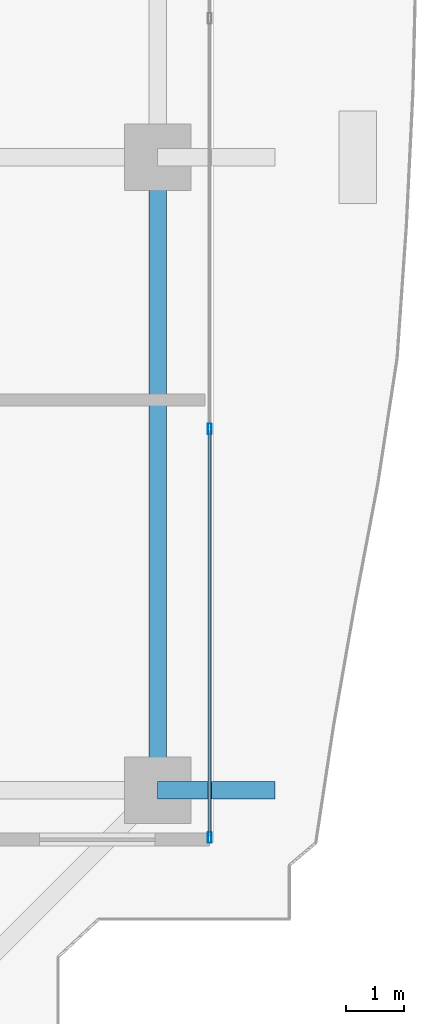
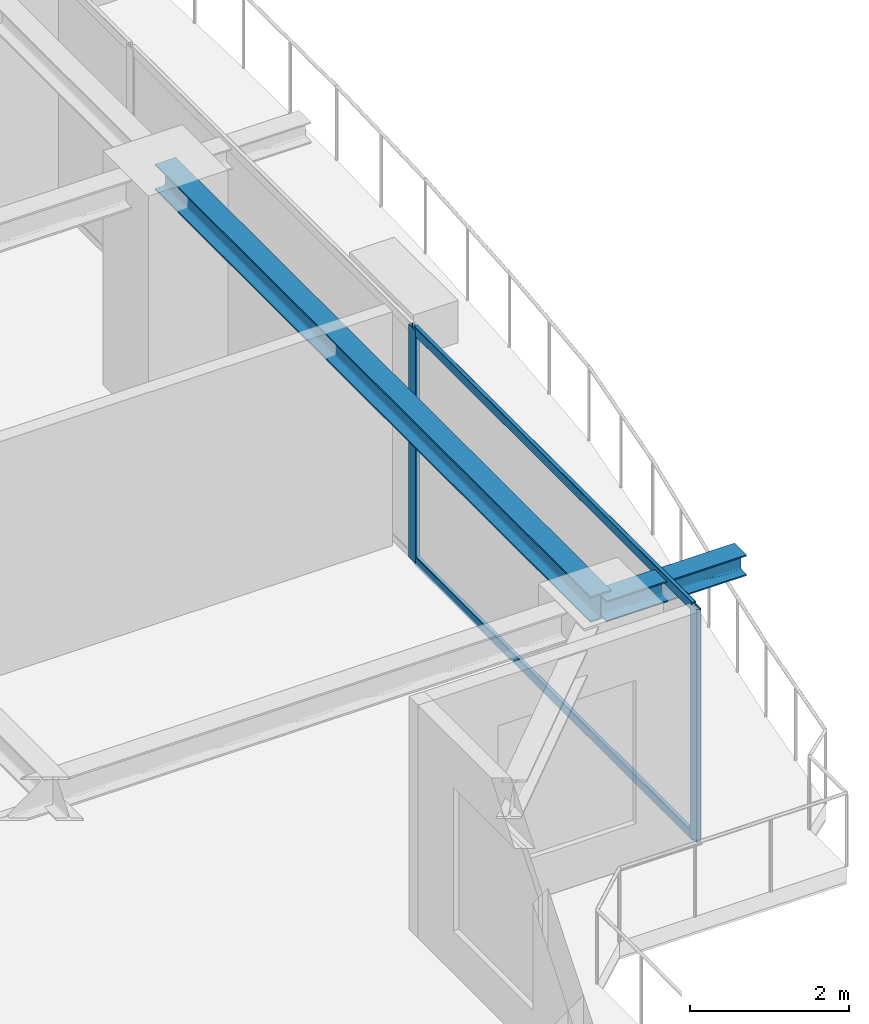
# One storey, part 13 of 38: 4 members, 2 beams, 1 element without a shape of its own.
"""IFC4 building model written with IfcOpenShell, lengths in metres."""

from ifc_helpers import new_model, si_unit, direction, frame, origin, origin_2d, place, context, subcontext, project, spatial, hollow_rectangle, i_section, extrude, source, transform, mapped, material, layer, layer_set, material_profile, profile_set, type_object, element, aggregate, save


model = new_model("IFC4")

# Units and contexts
model_context = context("Model", 3, precision=1e-05, world=origin(), true_north=direction((0.0, 1.0)))
body_context = subcontext(model_context, "Body", "Model", "MODEL_VIEW")
ifc_project = project(units=[si_unit("LENGTHUNIT", "METRE"), si_unit("AREAUNIT", "SQUARE_METRE"), si_unit("VOLUMEUNIT", "CUBIC_METRE"), si_unit("PLANEANGLEUNIT", "RADIAN"), si_unit("MASSUNIT", "GRAM", prefix="KILO")], contexts=[model_context])

# Site, building, storey
site_placement = place(None, origin())
site = spatial("IfcSite", under=ifc_project, at=site_placement, CompositionType="ELEMENT")
building_placement = place(site_placement, origin())
building = spatial("IfcBuilding", under=site, at=building_placement, Name="Serunith Strait Residences", CompositionType="ELEMENT")
storey_placement = place(building_placement, frame((0.0, 0.0, 264.35009765625)))
storey = spatial("IfcBuildingStorey", under=building, at=storey_placement, Name="L66", CompositionType="ELEMENT", Elevation=264.35009765625)

# Beams
ifc_material_1 = material(Name="Steel S355J2", Category="steel")
ifc_material_profile_1 = material_profile(ifc_material_1, i_section(OverallWidth=0.300048828125, OverallDepth=0.39990234375, WebThickness=0.013427734375, FlangeThickness=0.02392578125, FilletRadius=0.027099609375, at=origin_2d()), Name="HEB 400")
ifc_profile_set_1 = profile_set([ifc_material_profile_1], Name="Steel S355J2")
beam_type_1 = type_object("IfcBeamType", Name="BM-HEB400", PredefinedType="BEAM", material=ifc_profile_set_1)
shared_shape_1 = source(origin(), body_context, "Body", "SweptSolid", [
    extrude(i_section(OverallWidth=0.300048828125, OverallDepth=0.39990234375, WebThickness=0.013427734375, FlangeThickness=0.02392578125, FilletRadius=0.027099609375, at=origin_2d()), origin(), (0.0, 0.0, 1.0), 10.949951171875),
])
beam_1_placement = place(storey_placement, frame((56.5, 10.050048828125, 3.386962890625), z_axis=(0.0, 1.0, 0.0), x_axis=(-1.0, 0.0, 0.0)))
element("IfcBeam", 1, at=beam_1_placement, inside=storey, type_object=beam_type_1, Name="L66 Perimeter Ring Beam 05", PredefinedType="BEAM", context=body_context, shape_type="MappedRepresentation", body=[
    mapped(shared_shape_1, transform((0.0, 0.0, 0.0), scale=1.0)),
])
ifc_material_profile_2 = material_profile(ifc_material_1, i_section(OverallWidth=0.300048828125, OverallDepth=0.320068359375, WebThickness=0.011474609375, FlangeThickness=0.0205078125, FilletRadius=0.027099609375, at=origin_2d()), Name="HEB 320")
ifc_profile_set_2 = profile_set([ifc_material_profile_2], Name="Steel S355J2")
beam_type_2 = type_object("IfcBeamType", Name="BM-HEB320", PredefinedType="BEAM", material=ifc_profile_set_2)
shared_shape_2 = source(origin(), body_context, "Body", "SweptSolid", [
    extrude(i_section(OverallWidth=0.300048828125, OverallDepth=0.320068359375, WebThickness=0.011474609375, FlangeThickness=0.0205078125, FilletRadius=0.027099609375, at=origin_2d()), origin(), (0.0, 0.0, 1.0), 2.030029296875),
])
beam_2_placement = place(storey_placement, frame((56.5, 10.050048828125, 3.39697265625), z_axis=(1.0, 0.0, 0.0), x_axis=(0.0, 1.0, 0.0)))
element("IfcBeam", 2, at=beam_2_placement, inside=storey, type_object=beam_type_2, Name="L67 Cantilevered Balcony Rib TC-E1", PredefinedType="BEAM", context=body_context, shape_type="MappedRepresentation", body=[
    mapped(shared_shape_2, transform((0.0, 0.0, 0.0), scale=1.0)),
])

# Curtain wall, members
ifc_material_2 = material(Name="Pale-Champagne Anodised Aluminium", Category="aluminium")
ifc_layer = layer(ifc_material_2, 0.199951171875, Name="Pale-Champagne Anodised Aluminium")
ifc_layer_set = layer_set([ifc_layer], Name="Pale-Champagne Anodised Aluminium")
curtain_wall_type = type_object("IfcCurtainWallType", Name="CW-SYS4", PredefinedType="NOTDEFINED", material=ifc_layer_set)
curtain_wall_placement = place(storey_placement, origin())
curtain_wall = element("IfcCurtainWall", 3, at=curtain_wall_placement, inside=storey, type_object=curtain_wall_type, Name="L66 E Unitised Fritted Curtain Wall", PredefinedType="NOTDEFINED")
ifc_material_profile_3 = material_profile(ifc_material_2, hollow_rectangle(XDim=0.06494140625, YDim=0.179931640625, WallThickness=0.00341796875, InnerFilletRadius=0.00537109375, OuterFilletRadius=0.0087890625, at=origin_2d()), Name="ALU 180x65x3.5")
ifc_profile_set_3 = profile_set([ifc_material_profile_3], Name="Pale-Champagne Anodised Aluminium")
member_type_1 = type_object("IfcMemberType", Name="CW-SYS4-MULL", PredefinedType="MULLION", material=ifc_profile_set_3)
shared_shape_3 = source(origin(), body_context, "Body", "SweptSolid", [
    extrude(hollow_rectangle(XDim=0.06494140625, YDim=0.179931640625, WallThickness=0.00341796875, InnerFilletRadius=0.00537109375, OuterFilletRadius=0.0087890625, at=origin_2d()), origin(), (0.0, 0.0, 1.0), 3.574951171875),
])
member_1_placement = place(storey_placement, frame((57.39990234375, 9.232421875, 0.0), z_axis=(0.0, 0.0, 1.0), x_axis=(-1.0, 0.0, 0.0)))
member_1 = element("IfcMember", 4, at=member_1_placement, type_object=member_type_1, Name="CW-4 mullion 1", PredefinedType="MULLION", context=body_context, shape_type="MappedRepresentation", body=[
    mapped(shared_shape_3, transform((0.0, 0.0, 0.0), scale=1.0)),
])
member_2_placement = place(storey_placement, frame((57.39990234375, 16.300048828125, 0.0), z_axis=(0.0, 0.0, 1.0), x_axis=(-1.0, 0.0, 0.0)))
member_2 = element("IfcMember", 5, at=member_2_placement, type_object=member_type_1, Name="CW-4 mullion 2", PredefinedType="MULLION", context=body_context, shape_type="MappedRepresentation", body=[
    mapped(shared_shape_3, transform((0.0, 0.0, 0.0), scale=1.0)),
])
ifc_material_profile_4 = material_profile(ifc_material_2, hollow_rectangle(XDim=0.06005859375, YDim=0.139892578125, WallThickness=0.00341796875, InnerFilletRadius=0.00537109375, OuterFilletRadius=0.0087890625, at=origin_2d()), Name="ALU 140x60x3.5")
ifc_profile_set_4 = profile_set([ifc_material_profile_4], Name="Pale-Champagne Anodised Aluminium")
member_type_2 = type_object("IfcMemberType", Name="CW-SYS4-TRAN", PredefinedType="USERDEFINED", material=ifc_profile_set_4)
shared_shape_4 = source(origin(), body_context, "Body", "SweptSolid", [
    extrude(hollow_rectangle(XDim=0.06005859375, YDim=0.139892578125, WallThickness=0.00341796875, InnerFilletRadius=0.00537109375, OuterFilletRadius=0.0087890625, at=origin_2d()), origin(), (0.0, 0.0, 1.0), 7.002685546875),
])
member_3_placement = place(storey_placement, frame((57.39990234375, 9.264892578125, 0.02978515625), z_axis=(0.0, 1.0, 0.0), x_axis=(-1.0, 0.0, 0.0)))
member_3 = element("IfcMember", 6, at=member_3_placement, type_object=member_type_2, Name="CW-4 transom 1.1", ObjectType="TRANSOM", PredefinedType="USERDEFINED", context=body_context, shape_type="MappedRepresentation", body=[
    mapped(shared_shape_4, transform((0.0, 0.0, 0.0), scale=1.0)),
])
member_4_placement = place(storey_placement, frame((57.39990234375, 9.264892578125, 3.544921875), z_axis=(0.0, 1.0, 0.0), x_axis=(-1.0, 0.0, 0.0)))
member_4 = element("IfcMember", 7, at=member_4_placement, type_object=member_type_2, Name="CW-4 transom 1.2", ObjectType="TRANSOM", PredefinedType="USERDEFINED", context=body_context, shape_type="MappedRepresentation", body=[
    mapped(shared_shape_4, transform((0.0, 0.0, 0.0), scale=1.0)),
])
aggregate(curtain_wall, [member_1, member_2, member_3, member_4])

save(model, "model.ifc")
